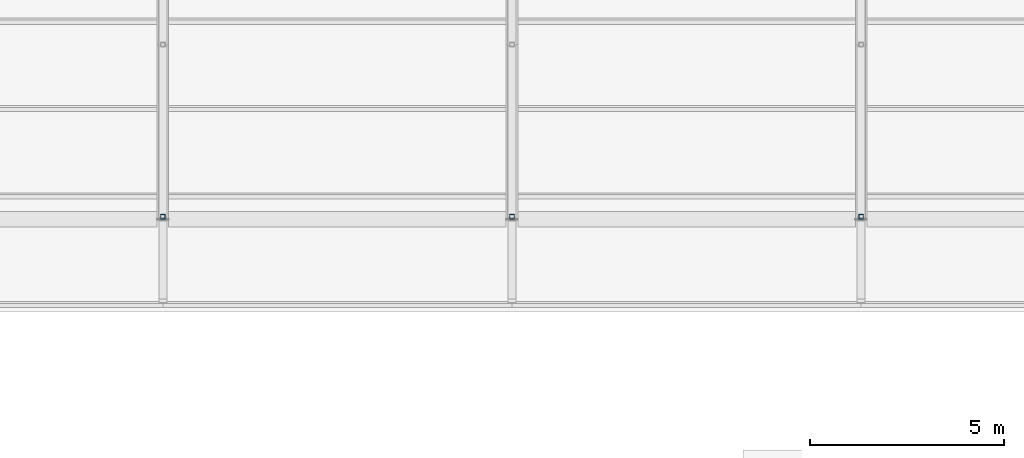
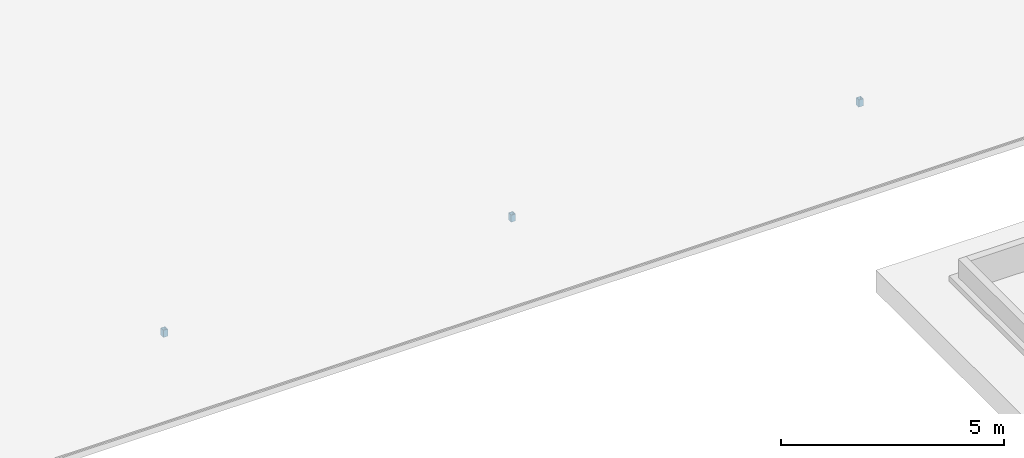
# One storey, part 82 of 154: 3 members.
"""IFC4 building model written with IfcOpenShell, lengths in metres."""

from ifc_helpers import new_model, si_unit, direction, frame, origin, origin_2d, place, context, subcontext, project, spatial, hollow_rectangle, extrude, material, material_profile, profile_set, type_object, element, save


model = new_model("IFC4")

# Units and contexts
model_context = context("Model", 3, precision=1e-05, world=origin(), true_north=direction((0.0, 1.0)))
body_context = subcontext(model_context, "Body", "Model", "MODEL_VIEW")
ifc_project = project(units=[si_unit("LENGTHUNIT", "METRE"), si_unit("AREAUNIT", "SQUARE_METRE"), si_unit("VOLUMEUNIT", "CUBIC_METRE"), si_unit("PLANEANGLEUNIT", "RADIAN"), si_unit("MASSUNIT", "GRAM", prefix="KILO")], contexts=[model_context])

# Site, building, storey
site_placement = place(None, origin())
site = spatial("IfcSite", under=ifc_project, at=site_placement, CompositionType="ELEMENT")
building_placement = place(site_placement, origin())
building = spatial("IfcBuilding", under=site, at=building_placement, Name="Golden Quay Civic Hall", CompositionType="ELEMENT")
storey_placement = place(building_placement, frame((0.0, 0.0, 14.39990234375)))
storey = spatial("IfcBuildingStorey", under=building, at=storey_placement, Name="L03", CompositionType="ELEMENT", Elevation=14.39990234375)

# Members
ifc_material = material(Name="Steel S355", Category="steel")
ifc_material_profile = material_profile(ifc_material, hollow_rectangle(XDim=0.1201171875, YDim=0.1201171875, WallThickness=0.008056640625, at=origin_2d()), Name="SHS 120x120x8")
ifc_profile_set = profile_set([ifc_material_profile], Name="Steel S355")
member_type = type_object("IfcMemberType", Name="Steel truss post SHS 120x120x8", PredefinedType="USERDEFINED", material=ifc_profile_set)
for number, where, z_axis, x_axis, name in (
    (1, (135.0, 63.06005859375, 0.050048828125), (0.0, 0.0, 1.0), (1.0, 0.0, 0.0), "Truss 135 post 1 L03"),
    (2, (144.0, 63.06005859375, 0.050048828125), (0.0, 0.0, 1.0), (1.0, 0.0, 0.0), "Truss 144 post 1 L03"),
    (3, (153.0, 63.06005859375, 0.050048828125), (0.0, 0.0, 1.0), (1.0, 0.0, 0.0), "Truss 153 post 1 L03"),
):
    element("IfcMember", number, at=place(storey_placement, frame(where, z_axis=z_axis, x_axis=x_axis)), inside=storey, type_object=member_type, Name=name, ObjectType="TRUSS POST", PredefinedType="USERDEFINED", context=body_context, shape_type="SweptSolid", body=[
        extrude(hollow_rectangle(XDim=0.1201171875, YDim=0.1201171875, WallThickness=0.008056640625, at=origin_2d()), origin(), (0.0, 0.0, 1.0), 0.195556640625),
    ])

save(model, "model.ifc")
